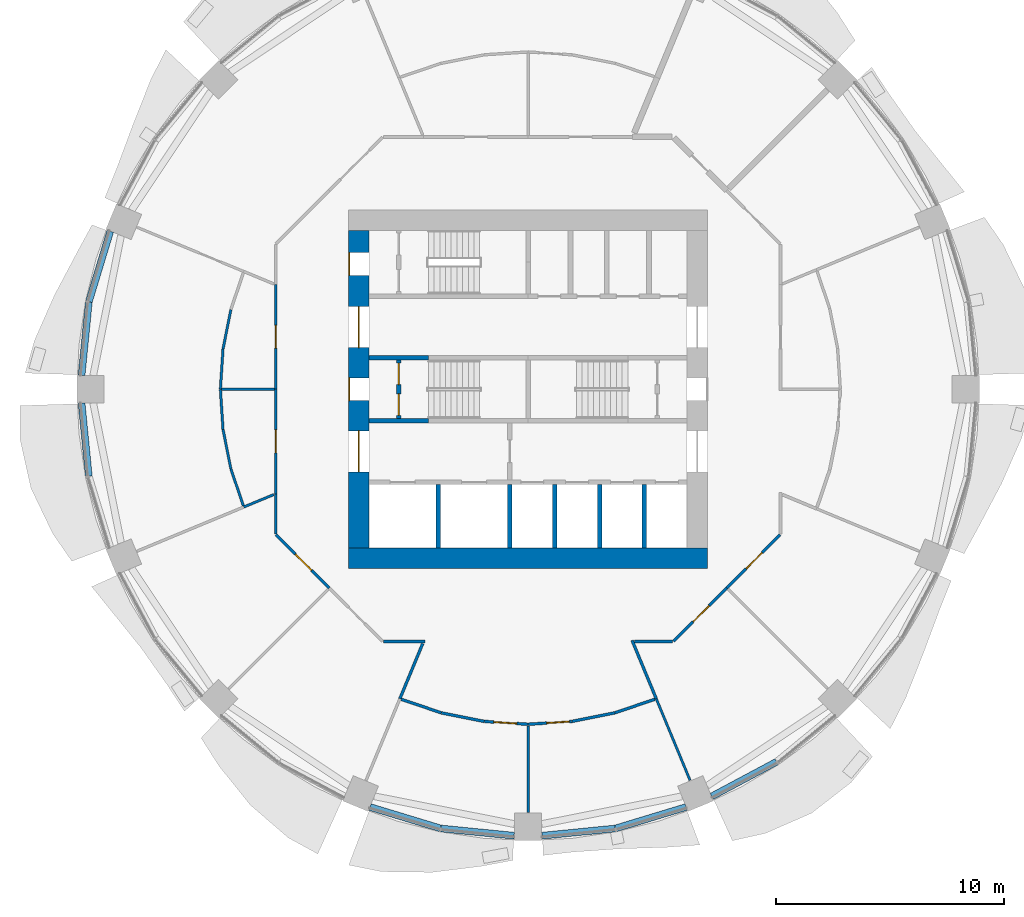
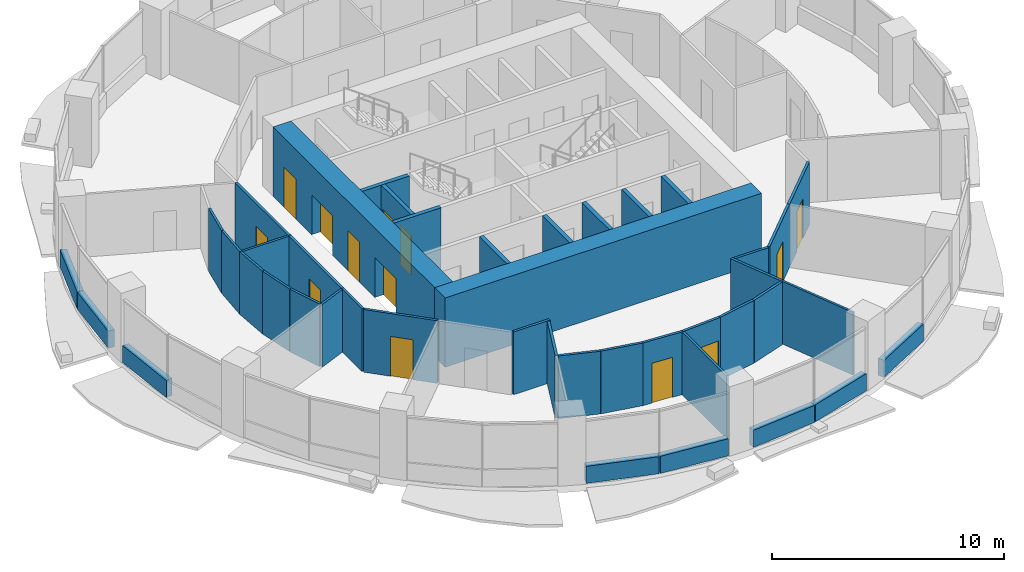
# One storey, part 8 of 15: 43 walls, 13 doors, 13 openings.
"""IFC4 building model written with IfcOpenShell, lengths in metres."""

from ifc_helpers import new_model, si_unit, direction, frame, frame_2d, origin, place, context, subcontext, project, spatial, rectangle, extrude, material, layer, layer_set, type_object, element, fill, save


model = new_model("IFC4")

# Units and contexts
model_context = context("Model", 3, precision=1e-05, world=origin(), true_north=direction((0.0, 1.0)))
body_context = subcontext(model_context, "Body", "Model", "MODEL_VIEW")
ifc_project = project(units=[si_unit("LENGTHUNIT", "METRE"), si_unit("AREAUNIT", "SQUARE_METRE"), si_unit("VOLUMEUNIT", "CUBIC_METRE"), si_unit("PLANEANGLEUNIT", "RADIAN"), si_unit("MASSUNIT", "GRAM", prefix="KILO")], contexts=[model_context])

# Site, building, storey
site_placement = place(None, origin())
site = spatial("IfcSite", under=ifc_project, at=site_placement, CompositionType="ELEMENT")
building_placement = place(site_placement, origin())
building = spatial("IfcBuilding", under=site, at=building_placement, Name="Polderwave Tower", CompositionType="ELEMENT")
storey_placement = place(building_placement, frame((0.0, 0.0, 29.85009765625)))
storey = spatial("IfcBuildingStorey", under=building, at=storey_placement, Name="L07", CompositionType="ELEMENT", Elevation=29.85009765625)

# Wall
ifc_material_1 = material(Name="Concrete C80/95", Category="concrete")
ifc_layer_1 = layer(ifc_material_1, 0.89990234375)
ifc_layer_set_1 = layer_set([ifc_layer_1], Name="CORE WALL 900 C80/95")
wall_type_1 = type_object("IfcWallType", Name="CORE WALL 900 C80/95", PredefinedType="SHEAR", material=ifc_layer_set_1)
wall_1_placement = place(storey_placement, frame((-7.8740234375, -7.424072265625, 0.0), z_axis=(0.0, 0.0, 1.0), x_axis=(1.0, 0.0, 0.0)))
element("IfcWall", 1, at=wall_1_placement, inside=storey, type_object=wall_type_1, Name="ST-CORE-L07-S", PredefinedType="SHEAR", context=body_context, shape_type="SweptSolid", body=[
    extrude(rectangle(XDim=15.748046875, YDim=0.89990234375, at=frame_2d((7.8740234375, 0.0))), origin(), (0.0, 0.0, 1.0), 3.64990234375),
])

# Wall, openings, doors
wall_2_placement = place(storey_placement, frame((-7.424072265625, -6.97412109375, 0.0), z_axis=(0.0, 0.0, 1.0), x_axis=(0.0, 1.0, 0.0)))
wall_2 = element("IfcWall", 2, at=wall_2_placement, inside=storey, type_object=wall_type_1, Name="ST-CORE-L07-W", PredefinedType="SHEAR", context=body_context, shape_type="SweptSolid", body=[
    extrude(rectangle(XDim=13.9482421875, YDim=0.89990234375, at=frame_2d((6.97412109375, 0.0))), origin(), (0.0, 0.0, 1.0), 3.64990234375),
])
opening_1_placement = place(wall_2_placement, frame((6.47412109375, 0.0, 0.0)))
opening_1 = element("IfcOpeningElement", 3, at=opening_1_placement, cuts=wall_2, Name="Opening L07-D18", PredefinedType="OPENING", context=body_context, shape_type="SweptSolid", body=[
    extrude(rectangle(XDim=1.0, YDim=2.10009765625, at=frame_2d((0.5, 1.050048828125))), frame((0.0, 0.4599609375, 0.0), z_axis=(0.0, -1.0, 0.0), x_axis=(1.0, 0.0, 0.0)), (0.0, 0.0, 1.0), 0.919921875),
])
opening_2_placement = place(wall_2_placement, frame((3.349609375, 0.0, 0.0)))
opening_2 = element("IfcOpeningElement", 4, at=opening_2_placement, cuts=wall_2, Name="Opening L07-D19", PredefinedType="OPENING", context=body_context, shape_type="SweptSolid", body=[
    extrude(rectangle(XDim=1.800048828125, YDim=2.10009765625, at=frame_2d((0.89990234375, 1.050048828125))), frame((0.0, 0.4599609375, 0.0), z_axis=(0.0, -1.0, 0.0), x_axis=(1.0, 0.0, 0.0)), (0.0, 0.0, 1.0), 0.919921875),
])
opening_3_placement = place(wall_2_placement, frame((8.798583984375, 0.0, 0.0)))
opening_3 = element("IfcOpeningElement", 5, at=opening_3_placement, cuts=wall_2, Name="Opening L07-D20", PredefinedType="OPENING", context=body_context, shape_type="SweptSolid", body=[
    extrude(rectangle(XDim=1.800048828125, YDim=2.10009765625, at=frame_2d((0.89990234375, 1.050048828125))), frame((0.0, 0.4599609375, 0.0), z_axis=(0.0, -1.0, 0.0), x_axis=(1.0, 0.0, 0.0)), (0.0, 0.0, 1.0), 0.919921875),
])
opening_4_placement = place(wall_2_placement, frame((11.97412109375, 0.0, 0.0)))
opening_4 = element("IfcOpeningElement", 6, at=opening_4_placement, cuts=wall_2, Name="Opening L07-D21", PredefinedType="OPENING", context=body_context, shape_type="SweptSolid", body=[
    extrude(rectangle(XDim=1.0, YDim=2.10009765625, at=frame_2d((0.5, 1.050048828125))), frame((0.0, 0.4599609375, 0.0), z_axis=(0.0, -1.0, 0.0), x_axis=(1.0, 0.0, 0.0)), (0.0, 0.0, 1.0), 0.919921875),
])
ifc_material_2 = material(Name="Steel fire door", Category="steel")
door_type_1 = type_object("IfcDoorType", Name="Lobby entry door pair 1800", OperationType="DOUBLE_DOOR_SINGLE_SWING", PredefinedType="DOOR", material=ifc_material_2)
door_1_placement = place(opening_2_placement, origin())
door_1 = element("IfcDoor", 7, at=door_1_placement, inside=storey, type_object=door_type_1, Name="Fire-fighting lobby entry door", OperationType="DOUBLE_DOOR_SINGLE_SWING", OverallHeight=2.10009765625, OverallWidth=1.800048828125, PredefinedType="DOOR", context=body_context, shape_type="SweptSolid", body=[
    extrude(rectangle(XDim=1.800048828125, YDim=2.10009765625, at=frame_2d((0.89990234375, 1.050048828125))), frame((0.0, 0.02490234375, 0.0), z_axis=(0.0, -1.0, 0.0), x_axis=(1.0, 0.0, 0.0)), (0.0, 0.0, 1.0), 0.050048828125),
])
fill(opening_2, door_1)
door_2_placement = place(opening_3_placement, origin())
door_2 = element("IfcDoor", 8, at=door_2_placement, inside=storey, type_object=door_type_1, Name="North lobby entry door", OperationType="DOUBLE_DOOR_SINGLE_SWING", OverallHeight=2.10009765625, OverallWidth=1.800048828125, PredefinedType="DOOR", context=body_context, shape_type="SweptSolid", body=[
    extrude(rectangle(XDim=1.800048828125, YDim=2.10009765625, at=frame_2d((0.89990234375, 1.050048828125))), frame((0.0, 0.02490234375, 0.0), z_axis=(0.0, -1.0, 0.0), x_axis=(1.0, 0.0, 0.0)), (0.0, 0.0, 1.0), 0.050048828125),
])
fill(opening_3, door_2)
door_type_2 = type_object("IfcDoorType", Name="Stair door 1000", OperationType="NOTDEFINED", PredefinedType="DOOR", material=ifc_material_2)
door_3_placement = place(opening_1_placement, origin())
door_3 = element("IfcDoor", 9, at=door_3_placement, inside=storey, type_object=door_type_2, Name="Stair A entry door", OperationType="SINGLE_SWING_RIGHT", OverallHeight=2.10009765625, OverallWidth=1.0, PredefinedType="DOOR", context=body_context, shape_type="SweptSolid", body=[
    extrude(rectangle(XDim=1.0, YDim=2.10009765625, at=frame_2d((0.5, 1.050048828125))), frame((0.0, 0.4501953125, 0.0), z_axis=(0.0, -1.0, 0.0), x_axis=(1.0, 0.0, 0.0)), (0.0, 0.0, 1.0), 0.050048828125),
])
fill(opening_1, door_3)
door_4_placement = place(opening_4_placement, origin())
door_4 = element("IfcDoor", 10, at=door_4_placement, inside=storey, type_object=door_type_2, Name="Stair C entry door", OperationType="SINGLE_SWING_RIGHT", OverallHeight=2.10009765625, OverallWidth=1.0, PredefinedType="DOOR", context=body_context, shape_type="SweptSolid", body=[
    extrude(rectangle(XDim=1.0, YDim=2.10009765625, at=frame_2d((0.5, 1.050048828125))), frame((0.0, 0.4501953125, 0.0), z_axis=(0.0, -1.0, 0.0), x_axis=(1.0, 0.0, 0.0)), (0.0, 0.0, 1.0), 0.050048828125),
])
fill(opening_4, door_4)

# Walls
ifc_material_3 = material(Name="Concrete C50/60 (board-marked)", Category="concrete")
ifc_layer_2 = layer(ifc_material_3, 0.300048828125)
ifc_layer_set_2 = layer_set([ifc_layer_2], Name="Concrete spandrel upstand C50/60")
wall_type_2 = type_object("IfcWallType", Name="Concrete spandrel upstand C50/60", PredefinedType="SOLIDWALL", material=ifc_layer_set_2)
for number, where, z_axis, x_axis, name in (
    (11, (-18.33251953125, 6.9296875, 0.0), (0.0, 0.0, 1.0), (-0.290301899131, -0.956935111364, 0.0), "Spandrel L07 8a"),
    (12, (-19.2734375, 3.818115234375, 0.0), (0.0, 0.0, 1.0), (-0.09816025243, -0.995170620971, 0.0), "Spandrel L07 8b"),
    (13, (-19.589599609375, -0.61279296875, 0.0), (0.0, 0.0, 1.0), (0.09816025243, -0.995170620971, 0.0), "Spandrel L07 9a"),
    (14, (-6.9296875, -18.33251953125, 0.0), (0.0, 0.0, 1.0), (0.956935111364, -0.290301899131, 0.0), "Spandrel L07 12a"),
    (15, (-3.818115234375, -19.2734375, 0.0), (0.0, 0.0, 1.0), (0.995170620971, -0.09816025243, 0.0), "Spandrel L07 12b"),
    (16, (0.61279296875, -19.589599609375, 0.0), (0.0, 0.0, 1.0), (0.995170620971, 0.09816025243, 0.0), "Spandrel L07 13a"),
    (17, (3.847412109375, -19.267578125, 0.0), (0.0, 0.0, 1.0), (0.956935111364, 0.290301899131, 0.0), "Spandrel L07 13b"),
):
    element("IfcWall", number, at=place(storey_placement, frame(where, z_axis=z_axis, x_axis=x_axis)), inside=storey, type_object=wall_type_2, Name=name, PredefinedType="SOLIDWALL", context=body_context, shape_type="SweptSolid", body=[
        extrude(rectangle(XDim=3.220947265625, YDim=0.300048828125, at=frame_2d((1.6103515625, 0.0))), origin(), (0.0, 0.0, 1.0), 0.89990234375),
    ])
wall_3_placement = place(storey_placement, frame((8.063232421875, -17.86279296875, 0.0), z_axis=(0.0, 0.0, 1.0), x_axis=(0.882016961449, 0.471217656413, 0.0)))
element("IfcWall", 18, at=wall_3_placement, inside=storey, type_object=wall_type_2, Name="Spandrel L07 14a", PredefinedType="SOLIDWALL", context=body_context, shape_type="SweptSolid", body=[
    extrude(rectangle(XDim=3.220458984375, YDim=0.300048828125, at=frame_2d((1.6103515625, 0.0))), origin(), (0.0, 0.0, 1.0), 0.89990234375),
])

# Wall, openings, doors
ifc_material_4 = material(Name="Gypsum board partition")
ifc_layer_3 = layer(ifc_material_4, 0.199951171875)
ifc_layer_set_3 = layer_set([ifc_layer_3], Name="Core room partition 200")
wall_type_3 = type_object("IfcWallType", Name="Core room partition 200", PredefinedType="PARTITIONING", material=ifc_layer_set_3)
wall_4_placement = place(storey_placement, frame((-5.674072265625, -1.27490234375, 0.0), z_axis=(0.0, 0.0, 1.0), x_axis=(0.0, 1.0, 0.0)))
wall_4 = element("IfcWall", 19, at=wall_4_placement, inside=storey, type_object=wall_type_3, Name="L07 smoke lobby wall A", PredefinedType="PARTITIONING", context=body_context, shape_type="SweptSolid", body=[
    extrude(rectangle(XDim=2.5498046875, YDim=0.199951171875, at=frame_2d((1.27490234375, 0.0))), origin(), (0.0, 0.0, 1.0), 3.2998046875),
])
opening_5_placement = place(wall_4_placement, frame((0.125, 0.0, 0.0)))
opening_5 = element("IfcOpeningElement", 20, at=opening_5_placement, cuts=wall_4, Name="Opening L07-D07", PredefinedType="OPENING", context=body_context, shape_type="SweptSolid", body=[
    extrude(rectangle(XDim=0.949951171875, YDim=2.10009765625, at=frame_2d((0.47509765625, 1.050048828125))), frame((0.0, 0.10986328125, 0.0), z_axis=(0.0, -1.0, 0.0), x_axis=(1.0, 0.0, 0.0)), (0.0, 0.0, 1.0), 0.219970703125),
])
opening_6_placement = place(wall_4_placement, frame((1.47509765625, 0.0, 0.0)))
opening_6 = element("IfcOpeningElement", 21, at=opening_6_placement, cuts=wall_4, Name="Opening L07-D08", PredefinedType="OPENING", context=body_context, shape_type="SweptSolid", body=[
    extrude(rectangle(XDim=0.949951171875, YDim=2.10009765625, at=frame_2d((0.47509765625, 1.050048828125))), frame((0.0, 0.10986328125, 0.0), z_axis=(0.0, -1.0, 0.0), x_axis=(1.0, 0.0, 0.0)), (0.0, 0.0, 1.0), 0.219970703125),
])
door_type_3 = type_object("IfcDoorType", Name="Smoke lobby door 950", OperationType="NOTDEFINED", PredefinedType="DOOR", material=ifc_material_2)
door_5_placement = place(opening_5_placement, origin())
door_5 = element("IfcDoor", 22, at=door_5_placement, inside=storey, type_object=door_type_3, Name="Stair A smoke lobby inner door", OperationType="SINGLE_SWING_LEFT", OverallHeight=2.10009765625, OverallWidth=0.949951171875, PredefinedType="DOOR", context=body_context, shape_type="SweptSolid", body=[
    extrude(rectangle(XDim=0.949951171875, YDim=2.10009765625, at=frame_2d((0.47509765625, 1.050048828125))), frame((0.0, 0.02490234375, 0.0), z_axis=(0.0, -1.0, 0.0), x_axis=(1.0, 0.0, 0.0)), (0.0, 0.0, 1.0), 0.050048828125),
])
fill(opening_5, door_5)
door_6_placement = place(opening_6_placement, origin())
door_6 = element("IfcDoor", 23, at=door_6_placement, inside=storey, type_object=door_type_3, Name="Stair A smoke lobby inner door", OperationType="SINGLE_SWING_RIGHT", OverallHeight=2.10009765625, OverallWidth=0.949951171875, PredefinedType="DOOR", context=body_context, shape_type="SweptSolid", body=[
    extrude(rectangle(XDim=0.949951171875, YDim=2.10009765625, at=frame_2d((0.47509765625, 1.050048828125))), frame((0.0, 0.02490234375, 0.0), z_axis=(0.0, -1.0, 0.0), x_axis=(1.0, 0.0, 0.0)), (0.0, 0.0, 1.0), 0.050048828125),
])
fill(opening_6, door_6)

# Walls
ifc_material_5 = material(Name="Concrete C50/60", Category="concrete")
ifc_layer_4 = layer(ifc_material_5, 0.199951171875)
ifc_layer_set_4 = layer_set([ifc_layer_4], Name="Core web wall 200")
wall_type_4 = type_object("IfcWallType", Name="Core web wall 200", PredefinedType="SHEAR", material=ifc_layer_set_4)
for number, where, z_axis, x_axis, name in (
    (24, (-6.97412109375, -1.375, 0.0), (0.0, 0.0, 1.0), (1.0, 0.0, 0.0), "L07 south stair wall 1"),
    (25, (-6.97412109375, 1.375, 0.0), (0.0, 0.0, 1.0), (1.0, 0.0, 0.0), "L07 north stair wall 1"),
):
    element("IfcWall", number, at=place(storey_placement, frame(where, z_axis=z_axis, x_axis=x_axis)), inside=storey, type_object=wall_type_4, Name=name, PredefinedType="SHEAR", context=body_context, shape_type="SweptSolid", body=[
        extrude(rectangle(XDim=2.60009765625, YDim=0.199951171875, at=frame_2d((1.300048828125, 0.0))), origin(), (0.0, 0.0, 1.0), 3.2998046875),
    ])

# Wall, opening, door
ifc_material_6 = material(Name="Fire-resisting board on steel studs", Category="steel")
ifc_layer_5 = layer(ifc_material_6, 0.125)
ifc_layer_set_5 = layer_set([ifc_layer_5], Name="Corridor wall 125 mm EI 60")
wall_type_5 = type_object("IfcWallType", Name="Corridor wall 125 mm EI 60", PredefinedType="PARTITIONING", material=ifc_layer_set_5)
wall_5_placement = place(storey_placement, frame((11.0556640625, -6.389404296875, 0.0), z_axis=(0.0, 0.0, 1.0), x_axis=(-0.707143776336, -0.707069784102, 0.0)))
wall_5 = element("IfcWall", 26, at=wall_5_placement, inside=storey, type_object=wall_type_5, Name="IN-L07-W004", PredefinedType="PARTITIONING", context=body_context, shape_type="SweptSolid", body=[
    extrude(rectangle(XDim=3.299560546875, YDim=0.125, at=frame_2d((1.64990234375, 0.0))), origin(), (0.0, 0.0, 1.0), 3.2998046875),
])
opening_7_placement = place(wall_5_placement, frame((1.10009765625, 0.0, 0.0)))
opening_7 = element("IfcOpeningElement", 27, at=opening_7_placement, cuts=wall_5, Name="Opening L07-D52", PredefinedType="OPENING", context=body_context, shape_type="SweptSolid", body=[
    extrude(rectangle(XDim=1.0, YDim=2.10009765625, at=frame_2d((0.5, 1.050048828125))), frame((0.0, 0.072509765625, 0.0), z_axis=(0.0, -1.0, 0.0), x_axis=(1.0, 0.0, 0.0)), (0.0, 0.0, 1.0), 0.14501953125),
])
ifc_material_7 = material(Name="Timber fire door leaf", Category="wood")
door_type_4 = type_object("IfcDoorType", Name="Fire door FD30S 1000 x 2100", OperationType="NOTDEFINED", PredefinedType="DOOR", material=ifc_material_7)
door_7_placement = place(opening_7_placement, origin())
door_7 = element("IfcDoor", 28, at=door_7_placement, inside=storey, type_object=door_type_4, Name="Door L07-D52", OperationType="SINGLE_SWING_LEFT", OverallHeight=2.10009765625, OverallWidth=1.0, PredefinedType="DOOR", context=body_context, shape_type="SweptSolid", body=[
    extrude(rectangle(XDim=1.0, YDim=2.10009765625, at=frame_2d((0.5, 1.050048828125))), frame((0.0, 0.02490234375, 0.0), z_axis=(0.0, -1.0, 0.0), x_axis=(1.0, 0.0, 0.0)), (0.0, 0.0, 1.0), 0.050048828125),
])
fill(opening_7, door_7)

wall_6_placement = place(storey_placement, frame((-11.073974609375, 0.0, 0.0), z_axis=(0.0, 0.0, 1.0), x_axis=(0.0, 1.0, 0.0)))
wall_6 = element("IfcWall", 29, at=wall_6_placement, inside=storey, type_object=wall_type_5, Name="IN-L07-W014", PredefinedType="PARTITIONING", context=body_context, shape_type="SweptSolid", body=[
    extrude(rectangle(XDim=4.5869140625, YDim=0.125, at=frame_2d((2.29345703125, 0.0))), origin(), (0.0, 0.0, 1.0), 3.2998046875),
])
opening_8_placement = place(wall_6_placement, frame((1.800048828125, 0.0, 0.0)))
opening_8 = element("IfcOpeningElement", 30, at=opening_8_placement, cuts=wall_6, Name="Opening L07-D57", PredefinedType="OPENING", context=body_context, shape_type="SweptSolid", body=[
    extrude(rectangle(XDim=1.0, YDim=2.10009765625, at=frame_2d((0.5, 1.050048828125))), frame((0.0, 0.072509765625, 0.0), z_axis=(0.0, -1.0, 0.0), x_axis=(1.0, 0.0, 0.0)), (0.0, 0.0, 1.0), 0.14501953125),
])
door_8_placement = place(opening_8_placement, origin())
door_8 = element("IfcDoor", 31, at=door_8_placement, inside=storey, type_object=door_type_4, Name="Door L07-D57", OperationType="SINGLE_SWING_RIGHT", OverallHeight=2.10009765625, OverallWidth=1.0, PredefinedType="DOOR", context=body_context, shape_type="SweptSolid", body=[
    extrude(rectangle(XDim=1.0, YDim=2.10009765625, at=frame_2d((0.5, 1.050048828125))), frame((0.0, 0.02490234375, 0.0), z_axis=(0.0, -1.0, 0.0), x_axis=(1.0, 0.0, 0.0)), (0.0, 0.0, 1.0), 0.050048828125),
])
fill(opening_8, door_8)

wall_7_placement = place(storey_placement, frame((-11.073974609375, -4.5869140625, 0.0), z_axis=(0.0, 0.0, 1.0), x_axis=(0.0, 1.0, 0.0)))
wall_7 = element("IfcWall", 32, at=wall_7_placement, inside=storey, type_object=wall_type_5, Name="IN-L07-W015", PredefinedType="PARTITIONING", context=body_context, shape_type="SweptSolid", body=[
    extrude(rectangle(XDim=4.5869140625, YDim=0.125, at=frame_2d((2.29345703125, 0.0))), origin(), (0.0, 0.0, 1.0), 3.2998046875),
])
opening_9_placement = place(wall_7_placement, frame((1.800048828125, 0.0, 0.0)))
opening_9 = element("IfcOpeningElement", 33, at=opening_9_placement, cuts=wall_7, Name="Opening L07-D58", PredefinedType="OPENING", context=body_context, shape_type="SweptSolid", body=[
    extrude(rectangle(XDim=1.0, YDim=2.10009765625, at=frame_2d((0.5, 1.050048828125))), frame((0.0, 0.072509765625, 0.0), z_axis=(0.0, -1.0, 0.0), x_axis=(1.0, 0.0, 0.0)), (0.0, 0.0, 1.0), 0.14501953125),
])
door_9_placement = place(opening_9_placement, origin())
door_9 = element("IfcDoor", 34, at=door_9_placement, inside=storey, type_object=door_type_4, Name="Door L07-D58", OperationType="SINGLE_SWING_RIGHT", OverallHeight=2.10009765625, OverallWidth=1.0, PredefinedType="DOOR", context=body_context, shape_type="SweptSolid", body=[
    extrude(rectangle(XDim=1.0, YDim=2.10009765625, at=frame_2d((0.5, 1.050048828125))), frame((0.0, 0.02490234375, 0.0), z_axis=(0.0, -1.0, 0.0), x_axis=(1.0, 0.0, 0.0)), (0.0, 0.0, 1.0), 0.050048828125),
])
fill(opening_9, door_9)

# Wall
wall_8_placement = place(storey_placement, frame((-11.073974609375, -6.34521484375, 0.0), z_axis=(0.0, 0.0, 1.0), x_axis=(0.0, 1.0, 0.0)))
element("IfcWall", 35, at=wall_8_placement, inside=storey, type_object=wall_type_5, Name="IN-L07-W016", PredefinedType="PARTITIONING", context=body_context, shape_type="SweptSolid", body=[
    extrude(rectangle(XDim=1.75830078125, YDim=0.125, at=frame_2d((0.879150390625, 0.0))), origin(), (0.0, 0.0, 1.0), 3.2998046875),
])

# Wall, opening, door
wall_9_placement = place(storey_placement, frame((-8.722412109375, -8.722412109375, 0.0), z_axis=(0.0, 0.0, 1.0), x_axis=(-0.707143776336, 0.707069784102, 0.0)))
wall_9 = element("IfcWall", 36, at=wall_9_placement, inside=storey, type_object=wall_type_5, Name="IN-L07-W017", PredefinedType="PARTITIONING", context=body_context, shape_type="SweptSolid", body=[
    extrude(rectangle(XDim=3.299560546875, YDim=0.125, at=frame_2d((1.64990234375, 0.0))), origin(), (0.0, 0.0, 1.0), 3.2998046875),
])
opening_10_placement = place(wall_9_placement, frame((1.10009765625, 0.0, 0.0)))
opening_10 = element("IfcOpeningElement", 37, at=opening_10_placement, cuts=wall_9, Name="Opening L07-D59", PredefinedType="OPENING", context=body_context, shape_type="SweptSolid", body=[
    extrude(rectangle(XDim=1.0, YDim=2.10009765625, at=frame_2d((0.5, 1.050048828125))), frame((0.0, 0.072509765625, 0.0), z_axis=(0.0, -1.0, 0.0), x_axis=(1.0, 0.0, 0.0)), (0.0, 0.0, 1.0), 0.14501953125),
])
door_10_placement = place(opening_10_placement, origin())
door_10 = element("IfcDoor", 38, at=door_10_placement, inside=storey, type_object=door_type_4, Name="Door L07-D59", OperationType="SINGLE_SWING_LEFT", OverallHeight=2.10009765625, OverallWidth=1.0, PredefinedType="DOOR", context=body_context, shape_type="SweptSolid", body=[
    extrude(rectangle(XDim=1.0, YDim=2.10009765625, at=frame_2d((0.5, 1.050048828125))), frame((0.0, 0.02490234375, 0.0), z_axis=(0.0, -1.0, 0.0), x_axis=(1.0, 0.0, 0.0)), (0.0, 0.0, 1.0), 0.050048828125),
])
fill(opening_10, door_10)

# Walls
wall_10_placement = place(storey_placement, frame((-4.5244140625, -11.073974609375, 0.0), z_axis=(0.0, 0.0, 1.0), x_axis=(-1.0, 0.0, 0.0)))
element("IfcWall", 39, at=wall_10_placement, inside=storey, type_object=wall_type_5, Name="IN-L07-W019", PredefinedType="PARTITIONING", context=body_context, shape_type="SweptSolid", body=[
    extrude(rectangle(XDim=1.82080078125, YDim=0.125, at=frame_2d((0.910400390625, 0.0))), origin(), (0.0, 0.0, 1.0), 3.2998046875),
])
wall_11_placement = place(storey_placement, frame((6.34521484375, -11.073974609375, 0.0), z_axis=(0.0, 0.0, 1.0), x_axis=(-1.0, 0.0, 0.0)))
element("IfcWall", 40, at=wall_11_placement, inside=storey, type_object=wall_type_5, Name="IN-L07-W020", PredefinedType="PARTITIONING", context=body_context, shape_type="SweptSolid", body=[
    extrude(rectangle(XDim=1.664794921875, YDim=0.125, at=frame_2d((0.83251953125, 0.0))), origin(), (0.0, 0.0, 1.0), 3.2998046875),
])

# Wall, opening, door
wall_12_placement = place(storey_placement, frame((8.722412109375, -8.722412109375, 0.0), z_axis=(0.0, 0.0, 1.0), x_axis=(-0.707069784102, -0.707143776336, 0.0)))
wall_12 = element("IfcWall", 41, at=wall_12_placement, inside=storey, type_object=wall_type_5, Name="IN-L07-W021", PredefinedType="PARTITIONING", context=body_context, shape_type="SweptSolid", body=[
    extrude(rectangle(XDim=3.299560546875, YDim=0.125, at=frame_2d((1.64990234375, 0.0))), origin(), (0.0, 0.0, 1.0), 3.2998046875),
])
opening_11_placement = place(wall_12_placement, frame((1.10009765625, 0.0, 0.0)))
opening_11 = element("IfcOpeningElement", 42, at=opening_11_placement, cuts=wall_12, Name="Opening L07-D61", PredefinedType="OPENING", context=body_context, shape_type="SweptSolid", body=[
    extrude(rectangle(XDim=1.0, YDim=2.10009765625, at=frame_2d((0.5, 1.050048828125))), frame((0.0, 0.072509765625, 0.0), z_axis=(0.0, -1.0, 0.0), x_axis=(1.0, 0.0, 0.0)), (0.0, 0.0, 1.0), 0.14501953125),
])
door_11_placement = place(opening_11_placement, origin())
door_11 = element("IfcDoor", 43, at=door_11_placement, inside=storey, type_object=door_type_4, Name="Door L07-D61", OperationType="SINGLE_SWING_LEFT", OverallHeight=2.10009765625, OverallWidth=1.0, PredefinedType="DOOR", context=body_context, shape_type="SweptSolid", body=[
    extrude(rectangle(XDim=1.0, YDim=2.10009765625, at=frame_2d((0.5, 1.050048828125))), frame((0.0, 0.02490234375, 0.0), z_axis=(0.0, -1.0, 0.0), x_axis=(1.0, 0.0, 0.0)), (0.0, 0.0, 1.0), 0.050048828125),
])
fill(opening_11, door_11)

# Walls
wall_13_placement = place(storey_placement, frame((-4.622802734375, -11.160400390625, 0.0), z_axis=(0.0, 0.0, 1.0), x_axis=(-0.382689200876, -0.923877143095, 0.0)))
element("IfcWall", 44, at=wall_13_placement, inside=storey, type_object=wall_type_5, Name="IN-L07-W057", PredefinedType="PARTITIONING", context=body_context, shape_type="SweptSolid", body=[
    extrude(rectangle(XDim=2.6201171875, YDim=0.125, at=frame_2d((1.31005859375, 0.0))), origin(), (0.0, 0.0, 1.0), 3.2998046875),
])
wall_14_placement = place(storey_placement, frame((-5.562255859375, -13.6025390625, 0.0), z_axis=(0.0, 0.0, 1.0), x_axis=(0.946942164526, -0.321404009065, 0.0)))
element("IfcWall", 45, at=wall_14_placement, inside=storey, type_object=wall_type_5, Name="IN-L07-W058", PredefinedType="PARTITIONING", context=body_context, shape_type="SweptSolid", body=[
    extrude(rectangle(XDim=1.851806640625, YDim=0.125, at=frame_2d((0.92578125, 0.0))), origin(), (0.0, 0.0, 1.0), 3.2998046875),
])
wall_15_placement = place(storey_placement, frame((-3.800537109375, -14.199951171875, 0.0), z_axis=(0.0, 0.0, 1.0), x_axis=(0.980786108198, -0.195086160367, 0.0)))
element("IfcWall", 46, at=wall_15_placement, inside=storey, type_object=wall_type_5, Name="IN-L07-W059", PredefinedType="PARTITIONING", context=body_context, shape_type="SweptSolid", body=[
    extrude(rectangle(XDim=1.914794921875, YDim=0.125, at=frame_2d((0.95751953125, 0.0))), origin(), (0.0, 0.0, 1.0), 3.2998046875),
])

# Wall, opening, door
wall_16_placement = place(storey_placement, frame((0.0, -14.699951171875, 0.0), z_axis=(0.0, 0.0, 1.0), x_axis=(-0.997858855436, 0.065404163695, 0.0)))
wall_16 = element("IfcWall", 47, at=wall_16_placement, inside=storey, type_object=wall_type_5, Name="IN-L07-W060", PredefinedType="PARTITIONING", context=body_context, shape_type="SweptSolid", body=[
    extrude(rectangle(XDim=1.918701171875, YDim=0.125, at=frame_2d((0.95947265625, 0.0))), origin(), (0.0, 0.0, 1.0), 3.2998046875),
])
opening_12_placement = place(wall_16_placement, frame((0.5, 0.0, 0.0)))
opening_12 = element("IfcOpeningElement", 48, at=opening_12_placement, cuts=wall_16, Name="Opening L07-D65", PredefinedType="OPENING", context=body_context, shape_type="SweptSolid", body=[
    extrude(rectangle(XDim=1.0, YDim=2.10009765625, at=frame_2d((0.5, 1.050048828125))), frame((0.0, 0.072509765625, 0.0), z_axis=(0.0, -1.0, 0.0), x_axis=(1.0, 0.0, 0.0)), (0.0, 0.0, 1.0), 0.14501953125),
])
door_12_placement = place(opening_12_placement, origin())
door_12 = element("IfcDoor", 49, at=door_12_placement, inside=storey, type_object=door_type_4, Name="Door L07-D65", OperationType="SINGLE_SWING_RIGHT", OverallHeight=2.10009765625, OverallWidth=1.0, PredefinedType="DOOR", context=body_context, shape_type="SweptSolid", body=[
    extrude(rectangle(XDim=1.0, YDim=2.10009765625, at=frame_2d((0.5, 1.050048828125))), frame((0.0, 0.02490234375, 0.0), z_axis=(0.0, -1.0, 0.0), x_axis=(1.0, 0.0, 0.0)), (0.0, 0.0, 1.0), 0.050048828125),
])
fill(opening_12, door_12)

wall_17_placement = place(storey_placement, frame((1.91455078125, -14.574462890625, 0.0), z_axis=(0.0, 0.0, 1.0), x_axis=(-0.997858855436, -0.065404163695, 0.0)))
wall_17 = element("IfcWall", 50, at=wall_17_placement, inside=storey, type_object=wall_type_5, Name="IN-L07-W062", PredefinedType="PARTITIONING", context=body_context, shape_type="SweptSolid", body=[
    extrude(rectangle(XDim=1.918701171875, YDim=0.125, at=frame_2d((0.95947265625, 0.0))), origin(), (0.0, 0.0, 1.0), 3.2998046875),
])
opening_13_placement = place(wall_17_placement, frame((0.10009765625, 0.0, 0.0)))
opening_13 = element("IfcOpeningElement", 51, at=opening_13_placement, cuts=wall_17, Name="Opening L07-D66", PredefinedType="OPENING", context=body_context, shape_type="SweptSolid", body=[
    extrude(rectangle(XDim=1.0, YDim=2.10009765625, at=frame_2d((0.5, 1.050048828125))), frame((0.0, 0.072509765625, 0.0), z_axis=(0.0, -1.0, 0.0), x_axis=(1.0, 0.0, 0.0)), (0.0, 0.0, 1.0), 0.14501953125),
])
door_13_placement = place(opening_13_placement, origin())
door_13 = element("IfcDoor", 52, at=door_13_placement, inside=storey, type_object=door_type_4, Name="Door L07-D66", OperationType="SINGLE_SWING_LEFT", OverallHeight=2.10009765625, OverallWidth=1.0, PredefinedType="DOOR", context=body_context, shape_type="SweptSolid", body=[
    extrude(rectangle(XDim=1.0, YDim=2.10009765625, at=frame_2d((0.5, 1.050048828125))), frame((0.0, 0.02490234375, 0.0), z_axis=(0.0, -1.0, 0.0), x_axis=(1.0, 0.0, 0.0)), (0.0, 0.0, 1.0), 0.050048828125),
])
fill(opening_13, door_13)

# Walls
wall_18_placement = place(storey_placement, frame((3.800537109375, -14.199951171875, 0.0), z_axis=(0.0, 0.0, 1.0), x_axis=(-0.980786108198, -0.195086160367, 0.0)))
element("IfcWall", 53, at=wall_18_placement, inside=storey, type_object=wall_type_5, Name="IN-L07-W063", PredefinedType="PARTITIONING", context=body_context, shape_type="SweptSolid", body=[
    extrude(rectangle(XDim=1.914794921875, YDim=0.125, at=frame_2d((0.95751953125, 0.0))), origin(), (0.0, 0.0, 1.0), 3.2998046875),
])
wall_19_placement = place(storey_placement, frame((5.562255859375, -13.6025390625, 0.0), z_axis=(0.0, 0.0, 1.0), x_axis=(-0.946942164526, -0.321404009065, 0.0)))
element("IfcWall", 54, at=wall_19_placement, inside=storey, type_object=wall_type_5, Name="IN-L07-W064", PredefinedType="PARTITIONING", context=body_context, shape_type="SweptSolid", body=[
    extrude(rectangle(XDim=1.851806640625, YDim=0.125, at=frame_2d((0.92578125, 0.0))), origin(), (0.0, 0.0, 1.0), 3.2998046875),
])
wall_20_placement = place(storey_placement, frame((4.56298828125, -11.016357421875, 0.0), z_axis=(0.0, 0.0, 1.0), x_axis=(0.382734966231, -0.923858184801, 0.0)))
element("IfcWall", 55, at=wall_20_placement, inside=storey, type_object=wall_type_5, Name="IN-L07-W065", PredefinedType="PARTITIONING", context=body_context, shape_type="SweptSolid", body=[
    extrude(rectangle(XDim=2.776123046875, YDim=0.125, at=frame_2d((1.38818359375, 0.0))), origin(), (0.0, 0.0, 1.0), 3.2998046875),
])
ifc_material_8 = material(Name="Moisture-resistant board on steel studs, tiled", Category="steel")
ifc_layer_6 = layer(ifc_material_8, 0.10498046875)
ifc_layer_set_6 = layer_set([ifc_layer_6], Name="Partition 105 mm wet room board and tile")
wall_type_6 = type_object("IfcWallType", Name="Partition 105 mm wet room board and tile", PredefinedType="PARTITIONING", material=ifc_layer_set_6)
wall_21_placement = place(storey_placement, frame((5.62548828125, -13.5810546875, 0.0), z_axis=(0.0, 0.0, 1.0), x_axis=(0.382674944996, -0.923883048049, 0.0)))
element("IfcWall", 56, at=wall_21_placement, inside=storey, type_object=wall_type_6, Name="IN-L07-W066", PredefinedType="PARTITIONING", context=body_context, shape_type="SweptSolid", body=[
    extrude(rectangle(XDim=3.8701171875, YDim=0.10498046875, at=frame_2d((1.93505859375, 0.0))), origin(), (0.0, 0.0, 1.0), 3.2998046875),
])
ifc_material_9 = material(Name="Acoustic double plasterboard on steel studs", Category="steel")
ifc_layer_7 = layer(ifc_material_9, 0.110107421875)
ifc_layer_set_7 = layer_set([ifc_layer_7], Name="Partition 110 mm acoustic double board")
wall_type_7 = type_object("IfcWallType", Name="Partition 110 mm acoustic double board", PredefinedType="PARTITIONING", material=ifc_layer_set_7)
wall_22_placement = place(storey_placement, frame((-13.5, 0.0, 0.0), z_axis=(0.0, 0.0, 1.0), x_axis=(0.065388016002, 0.997859913697, 0.0)))
element("IfcWall", 57, at=wall_22_placement, inside=storey, type_object=wall_type_7, Name="IN-L07-W046", PredefinedType="PARTITIONING", context=body_context, shape_type="SweptSolid", body=[
    extrude(rectangle(XDim=1.76220703125, YDim=0.110107421875, at=frame_2d((0.881103515625, 0.0))), origin(), (0.0, 0.0, 1.0), 3.2998046875),
])
wall_23_placement = place(storey_placement, frame((-13.3837890625, 1.765625, 0.0), z_axis=(0.0, 0.0, 1.0), x_axis=(0.195048139623, 0.98079367006, 0.0)))
element("IfcWall", 58, at=wall_23_placement, inside=storey, type_object=wall_type_7, Name="IN-L07-W047", PredefinedType="PARTITIONING", context=body_context, shape_type="SweptSolid", body=[
    extrude(rectangle(XDim=1.758544921875, YDim=0.110107421875, at=frame_2d((0.87939453125, 0.0))), origin(), (0.0, 0.0, 1.0), 3.2998046875),
])
wall_24_placement = place(storey_placement, frame((-11.136474609375, 0.0, 0.0), z_axis=(0.0, 0.0, 1.0), x_axis=(-1.0, 0.0, 0.0)))
element("IfcWall", 59, at=wall_24_placement, inside=storey, type_object=wall_type_7, Name="IN-L07-W049", PredefinedType="PARTITIONING", context=body_context, shape_type="SweptSolid", body=[
    extrude(rectangle(XDim=2.304931640625, YDim=0.110107421875, at=frame_2d((1.15234375, 0.0))), origin(), (0.0, 0.0, 1.0), 3.2998046875),
])
wall_25_placement = place(storey_placement, frame((-13.5, 0.0, 0.0), z_axis=(0.0, 0.0, 1.0), x_axis=(0.065388016002, -0.997859913697, 0.0)))
element("IfcWall", 60, at=wall_25_placement, inside=storey, type_object=wall_type_7, Name="IN-L07-W050", PredefinedType="PARTITIONING", context=body_context, shape_type="SweptSolid", body=[
    extrude(rectangle(XDim=1.76220703125, YDim=0.110107421875, at=frame_2d((0.881103515625, 0.0))), origin(), (0.0, 0.0, 1.0), 3.2998046875),
])
wall_26_placement = place(storey_placement, frame((-13.3837890625, -1.765625, 0.0), z_axis=(0.0, 0.0, 1.0), x_axis=(0.195048139623, -0.98079367006, 0.0)))
element("IfcWall", 61, at=wall_26_placement, inside=storey, type_object=wall_type_7, Name="IN-L07-W051", PredefinedType="PARTITIONING", context=body_context, shape_type="SweptSolid", body=[
    extrude(rectangle(XDim=1.758544921875, YDim=0.110107421875, at=frame_2d((0.87939453125, 0.0))), origin(), (0.0, 0.0, 1.0), 3.2998046875),
])
wall_27_placement = place(storey_placement, frame((-13.038818359375, -3.49755859375, 0.0), z_axis=(0.0, 0.0, 1.0), x_axis=(0.3214684719, -0.946920282587, 0.0)))
element("IfcWall", 62, at=wall_27_placement, inside=storey, type_object=wall_type_7, Name="IN-L07-W052", PredefinedType="PARTITIONING", context=body_context, shape_type="SweptSolid", body=[
    extrude(rectangle(XDim=1.703369140625, YDim=0.110107421875, at=frame_2d((0.8515625, 0.0))), origin(), (0.0, 0.0, 1.0), 3.2998046875),
])
wall_28_placement = place(storey_placement, frame((-11.157470703125, -4.62158203125, 0.0), z_axis=(0.0, 0.0, 1.0), x_axis=(-0.923876757744, -0.382690131178, 0.0)))
element("IfcWall", 63, at=wall_28_placement, inside=storey, type_object=wall_type_7, Name="IN-L07-W054", PredefinedType="PARTITIONING", context=body_context, shape_type="SweptSolid", body=[
    extrude(rectangle(XDim=1.42333984375, YDim=0.110107421875, at=frame_2d((0.711669921875, 0.0))), origin(), (0.0, 0.0, 1.0), 3.2998046875),
])
wall_29_placement = place(storey_placement, frame((0.0, -14.76611328125, 0.0), z_axis=(0.0, 0.0, 1.0), x_axis=(0.0, -1.0, 0.0)))
element("IfcWall", 64, at=wall_29_placement, inside=storey, type_object=wall_type_7, Name="IN-L07-W061", PredefinedType="PARTITIONING", context=body_context, shape_type="SweptSolid", body=[
    extrude(rectangle(XDim=3.803955078125, YDim=0.110107421875, at=frame_2d((1.90185546875, 0.0))), origin(), (0.0, 0.0, 1.0), 3.2998046875),
])
ifc_material_10 = material(Name="Gypsum shaft wall system")
ifc_layer_8 = layer(ifc_material_10, 0.199951171875)
ifc_layer_set_8 = layer_set([ifc_layer_8], Name="Shaft wall 200")
wall_type_8 = type_object("IfcWallType", Name="Shaft wall 200", PredefinedType="PARTITIONING", material=ifc_layer_set_8)
for number, where, z_axis, x_axis, name in (
    (65, (-3.93701171875, -6.97412109375, 0.0), (0.0, 0.0, 1.0), (0.0, 1.0, 0.0), "L07 fire-fighting shaft wall 1"),
    (66, (-0.800048828125, -6.97412109375, 0.0), (0.0, 0.0, 1.0), (0.0, 1.0, 0.0), "L07 fire-fighting shaft wall 2"),
    (67, (1.16845703125, -6.97412109375, 0.0), (0.0, 0.0, 1.0), (0.0, 1.0, 0.0), "L07 lift shaft wall 1"),
    (68, (3.136962890625, -6.97412109375, 0.0), (0.0, 0.0, 1.0), (0.0, 1.0, 0.0), "L07 lift shaft wall 2"),
    (69, (5.10546875, -6.97412109375, 0.0), (0.0, 0.0, 1.0), (0.0, 1.0, 0.0), "L07 lift shaft wall 3"),
):
    element("IfcWall", number, at=place(storey_placement, frame(where, z_axis=z_axis, x_axis=x_axis)), inside=storey, type_object=wall_type_8, Name=name, PredefinedType="PARTITIONING", context=body_context, shape_type="SweptSolid", body=[
        extrude(rectangle(XDim=2.800048828125, YDim=0.199951171875, at=frame_2d((1.39990234375, 0.0))), origin(), (0.0, 0.0, 1.0), 3.2998046875),
    ])

save(model, "model.ifc")
